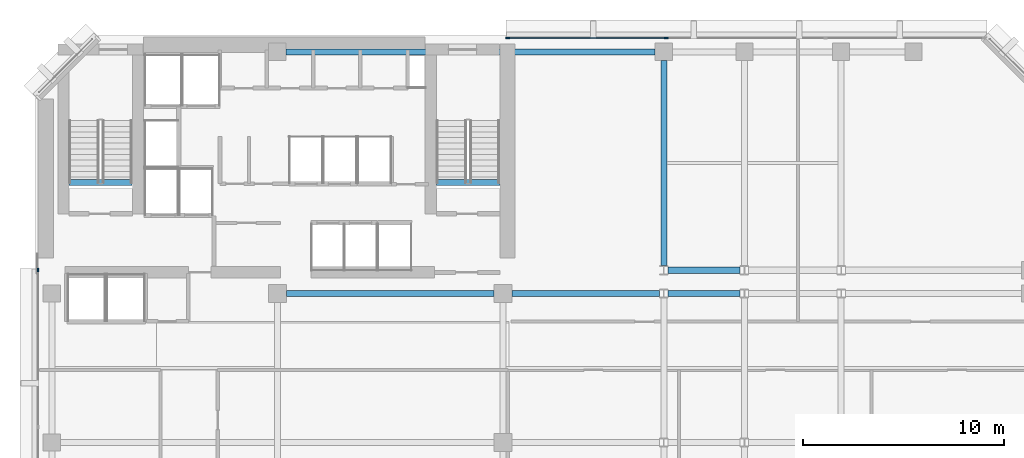
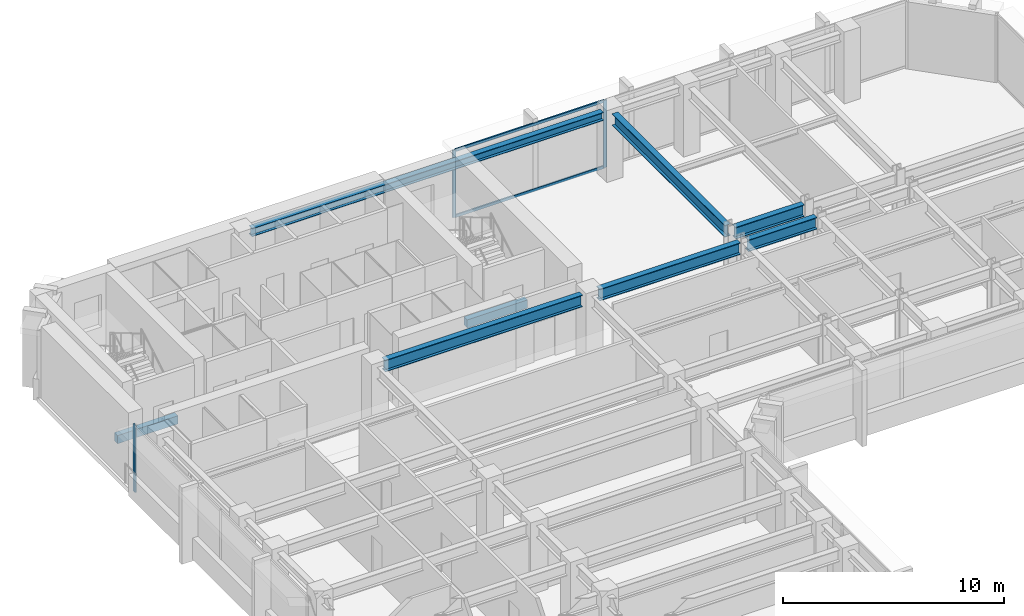
# One storey, part 4 of 11: 8 beams, 5 members, 2 elements without a shape of their own.
"""IFC4 building model written with IfcOpenShell, lengths in metres."""

from ifc_helpers import new_model, si_unit, direction, frame, origin, origin_2d, place, context, subcontext, project, spatial, rectangle, i_section, extrude, material, layer, layer_set, material_profile, profile_set, type_object, element, aggregate, save


model = new_model("IFC4")

# Units and contexts
model_context = context("Model", 3, precision=1e-05, world=origin(), true_north=direction((0.0, 1.0)))
body_context = subcontext(model_context, "Body", "Model", "MODEL_VIEW")
ifc_project = project(units=[si_unit("LENGTHUNIT", "METRE"), si_unit("AREAUNIT", "SQUARE_METRE"), si_unit("VOLUMEUNIT", "CUBIC_METRE"), si_unit("PLANEANGLEUNIT", "RADIAN"), si_unit("MASSUNIT", "GRAM", prefix="KILO")], contexts=[model_context])

# Site, building, storey
site_placement = place(None, origin())
site = spatial("IfcSite", under=ifc_project, at=site_placement, CompositionType="ELEMENT")
building_placement = place(site_placement, origin())
building = spatial("IfcBuilding", under=site, at=building_placement, Name="Kefirva Bronze Tower", CompositionType="ELEMENT")
storey_placement = place(building_placement, frame((0.0, 0.0, 150.81005859375)))
storey = spatial("IfcBuildingStorey", under=building, at=storey_placement, Name="L36", CompositionType="ELEMENT", Elevation=150.81005859375)

# Curtain wall, members
ifc_material_1 = material(Name="Bronze anodised aluminium", Category="aluminium")
ifc_layer = layer(ifc_material_1, 0.199951171875, Name="Bronze anodised aluminium")
ifc_layer_set = layer_set([ifc_layer], Name="Bronze anodised aluminium")
curtain_wall_type = type_object("IfcCurtainWallType", Name="Unitised Bronze Ribbon Curtain Wall Zone 2", PredefinedType="USERDEFINED", material=ifc_layer_set)
curtain_wall_1_placement = place(storey_placement, origin())
curtain_wall_1 = element("IfcCurtainWall", 1, at=curtain_wall_1_placement, inside=storey, type_object=curtain_wall_type, Name="L36 Curtain Wall 5", ObjectType="UNITISED CURTAIN WALL", PredefinedType="USERDEFINED")
ifc_material_profile_1 = material_profile(ifc_material_1, rectangle(XDim=0.074951171875, YDim=0.179931640625, at=origin_2d()), Name="ALU 75x180")
ifc_profile_set_1 = profile_set([ifc_material_profile_1], Name="Bronze anodised aluminium")
member_type_1 = type_object("IfcMemberType", Name="Bronze Mullion 75x180", PredefinedType="MULLION", material=ifc_profile_set_1)
member_1_placement = place(storey_placement, frame((31.318359375, 45.8798828125, 0.0), z_axis=(0.0, 0.0, 1.0), x_axis=(0.0, -1.0, 0.0)))
member_1 = element("IfcMember", 2, at=member_1_placement, type_object=member_type_1, Name="CW-02 mullion 3", PredefinedType="MULLION", context=body_context, shape_type="SweptSolid", body=[
    extrude(rectangle(XDim=0.074951171875, YDim=0.179931640625, at=origin_2d()), origin(), (0.0, 0.0, 1.0), 3.7099609375),
])
member_2_placement = place(storey_placement, frame((23.4423828125, 45.8798828125, 0.0), z_axis=(0.0, 0.0, 1.0), x_axis=(0.0, -1.0, 0.0)))
member_2 = element("IfcMember", 3, at=member_2_placement, type_object=member_type_1, Name="CW-02 mullion 4", PredefinedType="MULLION", context=body_context, shape_type="SweptSolid", body=[
    extrude(rectangle(XDim=0.074951171875, YDim=0.179931640625, at=origin_2d()), origin(), (0.0, 0.0, 1.0), 3.7099609375),
])

# Curtain wall, member
curtain_wall_2_placement = place(storey_placement, origin())
curtain_wall_2 = element("IfcCurtainWall", 4, at=curtain_wall_2_placement, inside=storey, type_object=curtain_wall_type, Name="L36 Curtain Wall 6", ObjectType="UNITISED CURTAIN WALL", PredefinedType="USERDEFINED")
member_3_placement = place(storey_placement, frame((0.1201171875, 34.357421875, 0.0), z_axis=(0.0, 0.0, 1.0), x_axis=(1.0, 0.0, 0.0)))
member_3 = element("IfcMember", 5, at=member_3_placement, type_object=member_type_1, Name="CW-02 mullion 1", PredefinedType="MULLION", context=body_context, shape_type="SweptSolid", body=[
    extrude(rectangle(XDim=0.074951171875, YDim=0.179931640625, at=origin_2d()), origin(), (0.0, 0.0, 1.0), 3.7099609375),
])
aggregate(curtain_wall_2, [member_3])

# Member
ifc_material_profile_2 = material_profile(ifc_material_1, rectangle(XDim=0.074951171875, YDim=0.14990234375, at=origin_2d()), Name="ALU 75x150")
ifc_profile_set_2 = profile_set([ifc_material_profile_2], Name="Bronze anodised aluminium")
member_type_2 = type_object("IfcMemberType", Name="Bronze Transom 75x150", PredefinedType="USERDEFINED", material=ifc_profile_set_2)
member_4_placement = place(storey_placement, frame((31.28076171875, 45.8798828125, 0.037353515625), z_axis=(-1.0, 0.0, 0.0), x_axis=(0.0, -1.0, 0.0)))
member_4 = element("IfcMember", 6, at=member_4_placement, type_object=member_type_2, Name="CW-02 transom 3.1", ObjectType="TRANSOM", PredefinedType="USERDEFINED", context=body_context, shape_type="SweptSolid", body=[
    extrude(rectangle(XDim=0.074951171875, YDim=0.14990234375, at=origin_2d()), origin(), (0.0, 0.0, 1.0), 7.80078125),
])

member_5_placement = place(storey_placement, frame((31.28076171875, 45.8798828125, 3.67236328125), z_axis=(-1.0, 0.0, 0.0), x_axis=(0.0, -1.0, 0.0)))
member_5 = element("IfcMember", 7, at=member_5_placement, type_object=member_type_2, Name="CW-02 transom 3.2", ObjectType="TRANSOM", PredefinedType="USERDEFINED", context=body_context, shape_type="SweptSolid", body=[
    extrude(rectangle(XDim=0.074951171875, YDim=0.14990234375, at=origin_2d()), origin(), (0.0, 0.0, 1.0), 7.80078125),
])

aggregate(curtain_wall_1, [member_1, member_2, member_4, member_5])

# Beams
ifc_material_2 = material(Name="Concrete C50/60", Category="concrete")
ifc_material_profile_3 = material_profile(ifc_material_2, rectangle(XDim=0.300048828125, YDim=0.449951171875, at=origin_2d()), Name="RC 300x450")
ifc_profile_set_3 = profile_set([ifc_material_profile_3], Name="Concrete C50/60")
beam_type_1 = type_object("IfcBeamType", Name="RC Stair Trimmer Beam 300x450", PredefinedType="BEAM", material=ifc_profile_set_3)
beam_1_placement = place(storey_placement, frame((1.64501953125, 38.699951171875, -0.22509765625), z_axis=(1.0, 0.0, 0.0), x_axis=(0.0, 1.0, 0.0)))
element("IfcBeam", 8, at=beam_1_placement, inside=storey, type_object=beam_type_1, Name="L36 Stair 1 Landing Trimmer Beam", PredefinedType="BEAM", context=body_context, shape_type="SweptSolid", body=[
    extrude(rectangle(XDim=0.300048828125, YDim=0.449951171875, at=origin_2d()), origin(), (0.0, 0.0, 1.0), 3.14990234375),
])
beam_2_placement = place(storey_placement, frame((19.89501953125, 38.699951171875, -0.22509765625), z_axis=(1.0, 0.0, 0.0), x_axis=(0.0, 1.0, 0.0)))
element("IfcBeam", 9, at=beam_2_placement, inside=storey, type_object=beam_type_1, Name="L36 Stair 2 Landing Trimmer Beam", PredefinedType="BEAM", context=body_context, shape_type="SweptSolid", body=[
    extrude(rectangle(XDim=0.300048828125, YDim=0.449951171875, at=origin_2d()), origin(), (0.0, 0.0, 1.0), 3.159912109375),
])
ifc_material_3 = material(Name="Steel S355", Category="steel")
ifc_material_profile_4 = material_profile(ifc_material_3, i_section(OverallWidth=0.300048828125, OverallDepth=0.64990234375, WebThickness=0.01611328125, FlangeThickness=0.031005859375, at=origin_2d()), Name="HEB 650")
ifc_profile_set_4 = profile_set([ifc_material_profile_4], Name="Steel S355")
beam_type_2 = type_object("IfcBeamType", Name="Steel Girder HEB 650", PredefinedType="USERDEFINED", material=ifc_profile_set_4)
beam_3_placement = place(storey_placement, frame((12.449951171875, 33.199951171875, 3.385009765625), z_axis=(1.0, 0.0, 0.0), x_axis=(0.0, 1.0, 0.0)))
element("IfcBeam", 10, at=beam_3_placement, inside=storey, type_object=beam_type_2, Name="L36 BM-L36-EW-12-332", ObjectType="GIRDER", PredefinedType="USERDEFINED", context=body_context, shape_type="SweptSolid", body=[
    extrude(i_section(OverallWidth=0.300048828125, OverallDepth=0.64990234375, WebThickness=0.01611328125, FlangeThickness=0.031005859375, at=origin_2d()), origin(), (0.0, 0.0, 1.0), 10.300048828125),
])
beam_4_placement = place(storey_placement, frame((23.64990234375, 33.199951171875, 3.385009765625), z_axis=(1.0, 0.0, 0.0), x_axis=(0.0, 1.0, 0.0)))
element("IfcBeam", 11, at=beam_4_placement, inside=storey, type_object=beam_type_2, Name="L36 BM-L36-EW-23-332", ObjectType="GIRDER", PredefinedType="USERDEFINED", context=body_context, shape_type="SweptSolid", body=[
    extrude(i_section(OverallWidth=0.300048828125, OverallDepth=0.64990234375, WebThickness=0.01611328125, FlangeThickness=0.031005859375, at=origin_2d()), origin(), (0.0, 0.0, 1.0), 7.341064453125),
])
for number, where, z_axis, x_axis, name in (
    (12, (31.408935546875, 33.199951171875, 3.385009765625), (1.0, 0.0, 0.0), (0.0, 1.0, 0.0), "L36 BM-L36-EW-31-332"),
    (13, (31.408935546875, 34.35009765625, 3.385009765625), (1.0, 0.0, 0.0), (0.0, 1.0, 0.0), "L36 BM-L36-EW-31-344"),
):
    element("IfcBeam", number, at=place(storey_placement, frame(where, z_axis=z_axis, x_axis=x_axis)), inside=storey, type_object=beam_type_2, Name=name, ObjectType="GIRDER", PredefinedType="USERDEFINED", context=body_context, shape_type="SweptSolid", body=[
        extrude(i_section(OverallWidth=0.300048828125, OverallDepth=0.64990234375, WebThickness=0.01611328125, FlangeThickness=0.031005859375, at=origin_2d()), origin(), (0.0, 0.0, 1.0), 3.58203125),
    ])
beam_5_placement = place(storey_placement, frame((31.199951171875, 34.577392578125, 3.385009765625), z_axis=(0.0, 1.0, 0.0), x_axis=(-1.0, 0.0, 0.0)))
element("IfcBeam", 14, at=beam_5_placement, inside=storey, type_object=beam_type_2, Name="L36 BM-L36-NS-312-34", ObjectType="GIRDER", PredefinedType="USERDEFINED", context=body_context, shape_type="SweptSolid", body=[
    extrude(i_section(OverallWidth=0.300048828125, OverallDepth=0.64990234375, WebThickness=0.01611328125, FlangeThickness=0.031005859375, at=origin_2d()), origin(), (0.0, 0.0, 1.0), 10.192626953125),
])
ifc_material_profile_5 = material_profile(ifc_material_3, i_section(OverallWidth=0.300048828125, OverallDepth=0.449951171875, WebThickness=0.013916015625, FlangeThickness=0.02587890625, at=origin_2d()), Name="HEB 450")
ifc_profile_set_5 = profile_set([ifc_material_profile_5], Name="Steel S355")
beam_type_3 = type_object("IfcBeamType", Name="Steel Spandrel HEB 450 Ext", PredefinedType="SPANDREL", material=ifc_profile_set_5)
beam_6_placement = place(storey_placement, frame((12.429931640625, 45.199951171875, 3.48486328125), z_axis=(1.0, 0.0, 0.0), x_axis=(0.0, 1.0, 0.0)))
element("IfcBeam", 15, at=beam_6_placement, inside=storey, type_object=beam_type_3, Name="L36 BM-L36-EW-12-452", PredefinedType="SPANDREL", context=body_context, shape_type="SweptSolid", body=[
    extrude(i_section(OverallWidth=0.300048828125, OverallDepth=0.449951171875, WebThickness=0.013916015625, FlangeThickness=0.02587890625, at=origin_2d()), origin(), (0.0, 0.0, 1.0), 18.340087890625),
])

save(model, "model.ifc")
